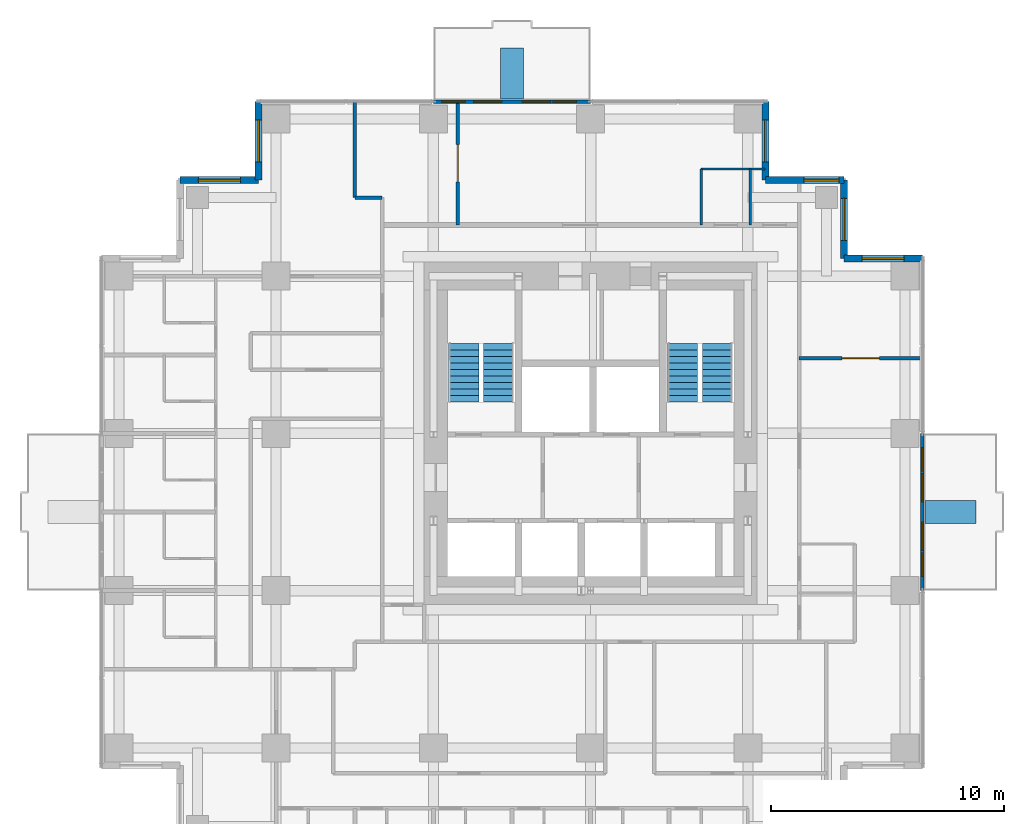
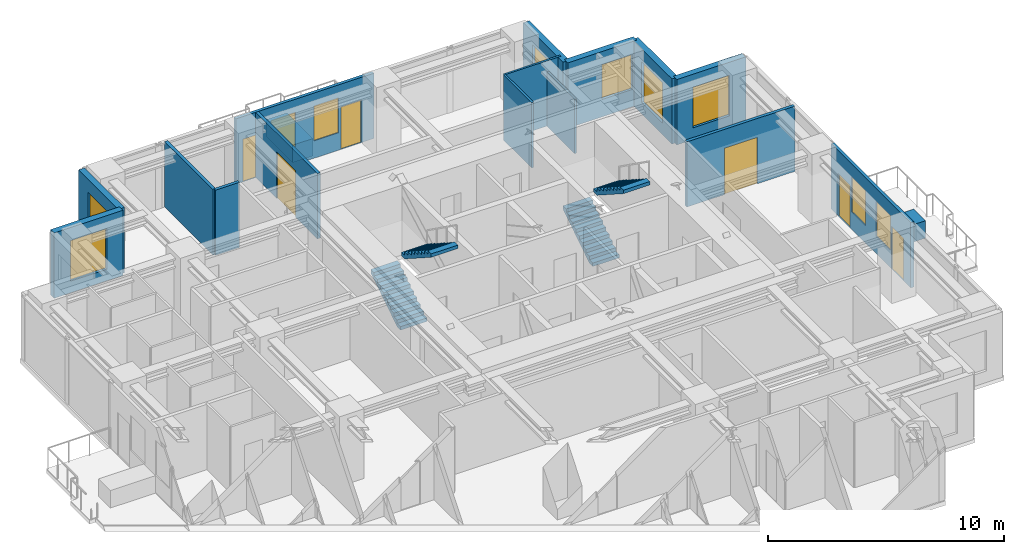
# One storey, part 7 of 8: 17 walls, 10 windows, 6 doors, 4 stair flights, 16 openings, 2 elements without a shape of their own.
"""IFC4 building model written with IfcOpenShell, lengths in metres."""

from ifc_helpers import new_model, si_unit, direction, frame, frame_2d, origin, place, context, subcontext, project, spatial, polyline, rectangle, outline, extrude, material, layer, layer_set, type_object, element, fill, aggregate, save


model = new_model("IFC4")

# Units and contexts
model_context = context("Model", 3, precision=1e-05, world=origin(), true_north=direction((0.0, 1.0)))
body_context = subcontext(model_context, "Body", "Model", "MODEL_VIEW")
ifc_project = project(units=[si_unit("LENGTHUNIT", "METRE"), si_unit("AREAUNIT", "SQUARE_METRE"), si_unit("VOLUMEUNIT", "CUBIC_METRE"), si_unit("PLANEANGLEUNIT", "RADIAN"), si_unit("MASSUNIT", "GRAM", prefix="KILO")], contexts=[model_context])

# Site, building, storey
site_placement = place(None, origin())
site = spatial("IfcSite", under=ifc_project, at=site_placement, CompositionType="ELEMENT")
building_placement = place(site_placement, origin())
building = spatial("IfcBuilding", under=site, at=building_placement, Name="Nyansa Garden Tower", CompositionType="ELEMENT")
storey_placement = place(building_placement, frame((0.0, 0.0, 171.0)))
storey = spatial("IfcBuildingStorey", under=building, at=storey_placement, Name="L46", CompositionType="ELEMENT", Elevation=171.0)

# Wall, openings, doors, windows
ifc_material_1 = material(Name="Black aluminium framed glazed screen", Category="aluminium")
ifc_layer_1 = layer(ifc_material_1, 0.14990234375)
ifc_layer_set_1 = layer_set([ifc_layer_1], Name="Balcony screen wall BW150")
wall_type_1 = type_object("IfcWallType", Name="Balcony screen wall BW150", PredefinedType="SOLIDWALL", material=ifc_layer_set_1)
wall_1_placement = place(storey_placement, frame((34.5, 20.25, 0.0), z_axis=(0.0, 0.0, 1.0), x_axis=(0.0, -1.0, 0.0)))
wall_1 = element("IfcWall", 1, at=wall_1_placement, inside=storey, type_object=wall_type_1, Name="Glazed screen wall L46 E", PredefinedType="SOLIDWALL", context=body_context, shape_type="SweptSolid", body=[
    extrude(rectangle(XDim=6.75, YDim=0.14990234375, at=frame_2d((3.375, 0.0))), origin(), (0.0, 0.0, 1.0), 3.375),
])
opening_1_placement = place(wall_1_placement, frame((0.612548828125, 0.0, 0.0)))
opening_1 = element("IfcOpeningElement", 2, at=opening_1_placement, cuts=wall_1, Name="Opening D20", PredefinedType="OPENING", context=body_context, shape_type="SweptSolid", body=[
    extrude(rectangle(XDim=1.0, YDim=2.199951171875, at=frame_2d((0.5, 1.10009765625))), frame((0.0, 0.0849609375, 0.0), z_axis=(0.0, -1.0, 0.0), x_axis=(1.0, 0.0, 0.0)), (0.0, 0.0, 1.0), 0.169921875),
])
opening_2_placement = place(wall_1_placement, frame((1.72509765625, 0.0, 0.89990234375)))
opening_2 = element("IfcOpeningElement", 3, at=opening_2_placement, cuts=wall_1, Name="Opening W6", PredefinedType="OPENING", context=body_context, shape_type="SweptSolid", body=[
    extrude(rectangle(XDim=1.199951171875, YDim=1.800048828125, at=frame_2d((0.60009765625, 0.89990234375))), frame((0.0, 0.0849609375, 0.0), z_axis=(0.0, -1.0, 0.0), x_axis=(1.0, 0.0, 0.0)), (0.0, 0.0, 1.0), 0.169921875),
])
opening_3_placement = place(wall_1_placement, frame((5.137451171875, 0.0, 0.0)))
opening_3 = element("IfcOpeningElement", 4, at=opening_3_placement, cuts=wall_1, Name="Opening D20", PredefinedType="OPENING", context=body_context, shape_type="SweptSolid", body=[
    extrude(rectangle(XDim=1.0, YDim=2.199951171875, at=frame_2d((0.5, 1.10009765625))), frame((0.0, 0.0849609375, 0.0), z_axis=(0.0, -1.0, 0.0), x_axis=(1.0, 0.0, 0.0)), (0.0, 0.0, 1.0), 0.169921875),
])
opening_4_placement = place(wall_1_placement, frame((3.824951171875, 0.0, 0.89990234375)))
opening_4 = element("IfcOpeningElement", 5, at=opening_4_placement, cuts=wall_1, Name="Opening W6", PredefinedType="OPENING", context=body_context, shape_type="SweptSolid", body=[
    extrude(rectangle(XDim=1.199951171875, YDim=1.800048828125, at=frame_2d((0.60009765625, 0.89990234375))), frame((0.0, 0.0849609375, 0.0), z_axis=(0.0, -1.0, 0.0), x_axis=(1.0, 0.0, 0.0)), (0.0, 0.0, 1.0), 0.169921875),
])
ifc_material_2 = material(Name="Black aluminium framed glazed door", Category="aluminium")
door_type_1 = type_object("IfcDoorType", Name="Balcony door D20 1000x2200", OperationType="NOTDEFINED", PredefinedType="DOOR", material=ifc_material_2)
door_1_placement = place(opening_1_placement, origin())
door_1 = element("IfcDoor", 6, at=door_1_placement, inside=storey, type_object=door_type_1, Name="Balcony door L46", OperationType="SINGLE_SWING_LEFT", OverallHeight=2.199951171875, OverallWidth=1.0, PredefinedType="DOOR", context=body_context, shape_type="SweptSolid", body=[
    extrude(rectangle(XDim=1.0, YDim=2.199951171875, at=frame_2d((0.5, 1.10009765625))), frame((0.0, 0.02490234375, 0.0), z_axis=(0.0, -1.0, 0.0), x_axis=(1.0, 0.0, 0.0)), (0.0, 0.0, 1.0), 0.050048828125),
])
fill(opening_1, door_1)
door_2_placement = place(opening_3_placement, origin())
door_2 = element("IfcDoor", 7, at=door_2_placement, inside=storey, type_object=door_type_1, Name="Balcony door L46", OperationType="SINGLE_SWING_RIGHT", OverallHeight=2.199951171875, OverallWidth=1.0, PredefinedType="DOOR", context=body_context, shape_type="SweptSolid", body=[
    extrude(rectangle(XDim=1.0, YDim=2.199951171875, at=frame_2d((0.5, 1.10009765625))), frame((0.0, 0.02490234375, 0.0), z_axis=(0.0, -1.0, 0.0), x_axis=(1.0, 0.0, 0.0)), (0.0, 0.0, 1.0), 0.050048828125),
])
fill(opening_3, door_2)
ifc_material_3 = material(Name="Black aluminium frame, dark tinted double glazing", Category="aluminium")
window_type_1 = type_object("IfcWindowType", Name="Balcony window W6 1200x1800", PartitioningType="SINGLE_PANEL", PredefinedType="WINDOW", material=ifc_material_3)
window_1_placement = place(opening_2_placement, origin())
window_1 = element("IfcWindow", 8, at=window_1_placement, inside=storey, type_object=window_type_1, Name="Window L46", OverallHeight=1.800048828125, OverallWidth=1.199951171875, PartitioningType="SINGLE_PANEL", PredefinedType="WINDOW", context=body_context, shape_type="SweptSolid", body=[
    extrude(rectangle(XDim=1.199951171875, YDim=1.800048828125, at=frame_2d((0.60009765625, 0.89990234375))), frame((0.0, 0.030029296875, 0.0), z_axis=(0.0, -1.0, 0.0), x_axis=(1.0, 0.0, 0.0)), (0.0, 0.0, 1.0), 0.06005859375),
])
fill(opening_2, window_1)
window_2_placement = place(opening_4_placement, origin())
window_2 = element("IfcWindow", 9, at=window_2_placement, inside=storey, type_object=window_type_1, Name="Window L46", OverallHeight=1.800048828125, OverallWidth=1.199951171875, PartitioningType="SINGLE_PANEL", PredefinedType="WINDOW", context=body_context, shape_type="SweptSolid", body=[
    extrude(rectangle(XDim=1.199951171875, YDim=1.800048828125, at=frame_2d((0.60009765625, 0.89990234375))), frame((0.0, 0.030029296875, 0.0), z_axis=(0.0, -1.0, 0.0), x_axis=(1.0, 0.0, 0.0)), (0.0, 0.0, 1.0), 0.06005859375),
])
fill(opening_4, window_2)

wall_2_placement = place(storey_placement, frame((13.5, 34.5, 0.0), z_axis=(0.0, 0.0, 1.0), x_axis=(1.0, 0.0, 0.0)))
wall_2 = element("IfcWall", 10, at=wall_2_placement, inside=storey, type_object=wall_type_1, Name="Glazed screen wall L46 N", PredefinedType="SOLIDWALL", context=body_context, shape_type="SweptSolid", body=[
    extrude(rectangle(XDim=6.75, YDim=0.14990234375, at=frame_2d((3.375, 0.0))), origin(), (0.0, 0.0, 1.0), 3.375),
])
opening_5_placement = place(wall_2_placement, frame((0.362548828125, 0.0, 0.0)))
opening_5 = element("IfcOpeningElement", 11, at=opening_5_placement, cuts=wall_2, Name="Opening D20", PredefinedType="OPENING", context=body_context, shape_type="SweptSolid", body=[
    extrude(rectangle(XDim=1.0, YDim=2.199951171875, at=frame_2d((0.5, 1.10009765625))), frame((0.0, 0.0849609375, 0.0), z_axis=(0.0, -1.0, 0.0), x_axis=(1.0, 0.0, 0.0)), (0.0, 0.0, 1.0), 0.169921875),
])
opening_6_placement = place(wall_2_placement, frame((1.72509765625, 0.0, 0.89990234375)))
opening_6 = element("IfcOpeningElement", 12, at=opening_6_placement, cuts=wall_2, Name="Opening W6", PredefinedType="OPENING", context=body_context, shape_type="SweptSolid", body=[
    extrude(rectangle(XDim=1.199951171875, YDim=1.800048828125, at=frame_2d((0.60009765625, 0.89990234375))), frame((0.0, 0.0849609375, 0.0), z_axis=(0.0, -1.0, 0.0), x_axis=(1.0, 0.0, 0.0)), (0.0, 0.0, 1.0), 0.169921875),
])
opening_7_placement = place(wall_2_placement, frame((5.137451171875, 0.0, 0.0)))
opening_7 = element("IfcOpeningElement", 13, at=opening_7_placement, cuts=wall_2, Name="Opening D20", PredefinedType="OPENING", context=body_context, shape_type="SweptSolid", body=[
    extrude(rectangle(XDim=1.0, YDim=2.199951171875, at=frame_2d((0.5, 1.10009765625))), frame((0.0, 0.0849609375, 0.0), z_axis=(0.0, -1.0, 0.0), x_axis=(1.0, 0.0, 0.0)), (0.0, 0.0, 1.0), 0.169921875),
])
opening_8_placement = place(wall_2_placement, frame((3.824951171875, 0.0, 0.89990234375)))
opening_8 = element("IfcOpeningElement", 14, at=opening_8_placement, cuts=wall_2, Name="Opening W6", PredefinedType="OPENING", context=body_context, shape_type="SweptSolid", body=[
    extrude(rectangle(XDim=1.199951171875, YDim=1.800048828125, at=frame_2d((0.60009765625, 0.89990234375))), frame((0.0, 0.0849609375, 0.0), z_axis=(0.0, -1.0, 0.0), x_axis=(1.0, 0.0, 0.0)), (0.0, 0.0, 1.0), 0.169921875),
])
door_3_placement = place(opening_5_placement, origin())
door_3 = element("IfcDoor", 15, at=door_3_placement, inside=storey, type_object=door_type_1, Name="Balcony door L46", OperationType="SINGLE_SWING_LEFT", OverallHeight=2.199951171875, OverallWidth=1.0, PredefinedType="DOOR", context=body_context, shape_type="SweptSolid", body=[
    extrude(rectangle(XDim=1.0, YDim=2.199951171875, at=frame_2d((0.5, 1.10009765625))), frame((0.0, 0.02490234375, 0.0), z_axis=(0.0, -1.0, 0.0), x_axis=(1.0, 0.0, 0.0)), (0.0, 0.0, 1.0), 0.050048828125),
])
fill(opening_5, door_3)
door_4_placement = place(opening_7_placement, origin())
door_4 = element("IfcDoor", 16, at=door_4_placement, inside=storey, type_object=door_type_1, Name="Balcony door L46", OperationType="SINGLE_SWING_RIGHT", OverallHeight=2.199951171875, OverallWidth=1.0, PredefinedType="DOOR", context=body_context, shape_type="SweptSolid", body=[
    extrude(rectangle(XDim=1.0, YDim=2.199951171875, at=frame_2d((0.5, 1.10009765625))), frame((0.0, 0.02490234375, 0.0), z_axis=(0.0, -1.0, 0.0), x_axis=(1.0, 0.0, 0.0)), (0.0, 0.0, 1.0), 0.050048828125),
])
fill(opening_7, door_4)
window_3_placement = place(opening_6_placement, origin())
window_3 = element("IfcWindow", 17, at=window_3_placement, inside=storey, type_object=window_type_1, Name="Window L46", OverallHeight=1.800048828125, OverallWidth=1.199951171875, PartitioningType="SINGLE_PANEL", PredefinedType="WINDOW", context=body_context, shape_type="SweptSolid", body=[
    extrude(rectangle(XDim=1.199951171875, YDim=1.800048828125, at=frame_2d((0.60009765625, 0.89990234375))), frame((0.0, 0.030029296875, 0.0), z_axis=(0.0, -1.0, 0.0), x_axis=(1.0, 0.0, 0.0)), (0.0, 0.0, 1.0), 0.06005859375),
])
fill(opening_6, window_3)
window_4_placement = place(opening_8_placement, origin())
window_4 = element("IfcWindow", 18, at=window_4_placement, inside=storey, type_object=window_type_1, Name="Window L46", OverallHeight=1.800048828125, OverallWidth=1.199951171875, PartitioningType="SINGLE_PANEL", PredefinedType="WINDOW", context=body_context, shape_type="SweptSolid", body=[
    extrude(rectangle(XDim=1.199951171875, YDim=1.800048828125, at=frame_2d((0.60009765625, 0.89990234375))), frame((0.0, 0.030029296875, 0.0), z_axis=(0.0, -1.0, 0.0), x_axis=(1.0, 0.0, 0.0)), (0.0, 0.0, 1.0), 0.06005859375),
])
fill(opening_8, window_4)

# Walls
ifc_material_4 = material(Name="Blockwork, plastered both sides", Category="masonry")
ifc_layer_2 = layer(ifc_material_4, 0.14990234375)
ifc_layer_set_2 = layer_set([ifc_layer_2], Name="Partition PW150")
wall_type_2 = type_object("IfcWallType", Name="Partition PW150", PredefinedType="PARTITIONING", material=ifc_layer_set_2)
wall_3_placement = place(storey_placement, frame((10.125, 30.375, 0.0), z_axis=(0.0, 0.0, 1.0), x_axis=(0.0, 1.0, 0.0)))
element("IfcWall", 19, at=wall_3_placement, inside=storey, type_object=wall_type_2, Name="Partition", PredefinedType="PARTITIONING", context=body_context, shape_type="SweptSolid", body=[
    extrude(rectangle(XDim=4.10888671875, YDim=0.14990234375, at=frame_2d((2.054443359375, 0.0))), origin(), (0.0, 0.0, 1.0), 3.375),
])
wall_4_placement = place(storey_placement, frame((10.125, 30.375, 0.0), z_axis=(0.0, 0.0, 1.0), x_axis=(1.0, 0.0, 0.0)))
element("IfcWall", 20, at=wall_4_placement, inside=storey, type_object=wall_type_2, Name="Partition", PredefinedType="PARTITIONING", context=body_context, shape_type="SweptSolid", body=[
    extrude(rectangle(XDim=1.175048828125, YDim=0.14990234375, at=frame_2d((0.58740234375, 0.0))), origin(), (0.0, 0.0, 1.0), 3.375),
])

# Wall, opening, door
wall_5_placement = place(storey_placement, frame((14.549072265625, 29.199951171875, 0.0), z_axis=(0.0, 0.0, 1.0), x_axis=(0.0, 1.0, 0.0)))
wall_5 = element("IfcWall", 21, at=wall_5_placement, inside=storey, type_object=wall_type_2, Name="Partition", PredefinedType="PARTITIONING", context=body_context, shape_type="SweptSolid", body=[
    extrude(rectangle(XDim=5.22509765625, YDim=0.14990234375, at=frame_2d((2.612548828125, 0.0))), origin(), (0.0, 0.0, 1.0), 3.375),
])
opening_9_placement = place(wall_5_placement, frame((1.85009765625, 0.0, 0.0)))
opening_9 = element("IfcOpeningElement", 22, at=opening_9_placement, cuts=wall_5, Name="Opening D12", PredefinedType="OPENING", context=body_context, shape_type="SweptSolid", body=[
    extrude(rectangle(XDim=1.60009765625, YDim=2.39990234375, at=frame_2d((0.800048828125, 1.199951171875))), frame((0.0, 0.0849609375, 0.0), z_axis=(0.0, -1.0, 0.0), x_axis=(1.0, 0.0, 0.0)), (0.0, 0.0, 1.0), 0.169921875),
])
ifc_material_5 = material(Name="Black aluminium glazed door, 60 minute fire resisting", Category="aluminium")
door_type_2 = type_object("IfcDoorType", Name="Amenity door D12 1600x2400", OperationType="DOUBLE_DOOR_SINGLE_SWING", PredefinedType="DOOR", material=ifc_material_5)
door_5_placement = place(opening_9_placement, origin())
door_5 = element("IfcDoor", 23, at=door_5_placement, inside=storey, type_object=door_type_2, Name="Door L46-039", OperationType="DOUBLE_DOOR_SINGLE_SWING", OverallHeight=2.39990234375, OverallWidth=1.60009765625, PredefinedType="DOOR", context=body_context, shape_type="SweptSolid", body=[
    extrude(rectangle(XDim=1.60009765625, YDim=2.39990234375, at=frame_2d((0.800048828125, 1.199951171875))), frame((0.0, 0.02490234375, 0.0), z_axis=(0.0, -1.0, 0.0), x_axis=(1.0, 0.0, 0.0)), (0.0, 0.0, 1.0), 0.050048828125),
])
fill(opening_9, door_5)

wall_6_placement = place(storey_placement, frame((29.199951171875, 23.48193359375, 0.0), z_axis=(0.0, 0.0, 1.0), x_axis=(1.0, 0.0, 0.0)))
wall_6 = element("IfcWall", 24, at=wall_6_placement, inside=storey, type_object=wall_type_2, Name="Partition", PredefinedType="PARTITIONING", context=body_context, shape_type="SweptSolid", body=[
    extrude(rectangle(XDim=5.283935546875, YDim=0.14990234375, at=frame_2d((2.64208984375, 0.0))), origin(), (0.0, 0.0, 1.0), 3.375),
])
opening_10_placement = place(wall_6_placement, frame((1.85009765625, 0.0, 0.0)))
opening_10 = element("IfcOpeningElement", 25, at=opening_10_placement, cuts=wall_6, Name="Opening D12", PredefinedType="OPENING", context=body_context, shape_type="SweptSolid", body=[
    extrude(rectangle(XDim=1.60009765625, YDim=2.39990234375, at=frame_2d((0.800048828125, 1.199951171875))), frame((0.0, 0.0849609375, 0.0), z_axis=(0.0, -1.0, 0.0), x_axis=(1.0, 0.0, 0.0)), (0.0, 0.0, 1.0), 0.169921875),
])
door_6_placement = place(opening_10_placement, origin())
door_6 = element("IfcDoor", 26, at=door_6_placement, inside=storey, type_object=door_type_2, Name="Door L46-035", OperationType="DOUBLE_DOOR_SINGLE_SWING", OverallHeight=2.39990234375, OverallWidth=1.60009765625, PredefinedType="DOOR", context=body_context, shape_type="SweptSolid", body=[
    extrude(rectangle(XDim=1.60009765625, YDim=2.39990234375, at=frame_2d((0.800048828125, 1.199951171875))), frame((0.0, 0.02490234375, 0.0), z_axis=(0.0, -1.0, 0.0), x_axis=(1.0, 0.0, 0.0)), (0.0, 0.0, 1.0), 0.050048828125),
])
fill(opening_10, door_6)

# Wall, opening, window
ifc_material_6 = material(Name="Turquoise glazed tile on concrete blockwork", Category="masonry")
ifc_layer_3 = layer(ifc_material_6, 0.300048828125)
ifc_layer_set_3 = layer_set([ifc_layer_3], Name="Tiled corner wall TW300")
wall_type_3 = type_object("IfcWallType", Name="Tiled corner wall TW300", PredefinedType="SOLIDWALL", material=ifc_layer_set_3)
wall_7_placement = place(storey_placement, frame((34.5, 27.75, 0.0), z_axis=(0.0, 0.0, 1.0), x_axis=(-1.0, 0.0, 0.0)))
wall_7 = element("IfcWall", 27, at=wall_7_placement, inside=storey, type_object=wall_type_3, Name="Tiled corner wall L46", PredefinedType="SOLIDWALL", context=body_context, shape_type="SweptSolid", body=[
    extrude(rectangle(XDim=3.375, YDim=0.300048828125, at=frame_2d((1.6875, 0.0))), origin(), (0.0, 0.0, 1.0), 3.375),
])
opening_11_placement = place(wall_7_placement, frame((0.78759765625, 0.0, 0.60009765625)))
opening_11 = element("IfcOpeningElement", 28, at=opening_11_placement, cuts=wall_7, Name="Opening W2", PredefinedType="OPENING", context=body_context, shape_type="SweptSolid", body=[
    extrude(rectangle(XDim=1.800048828125, YDim=2.10009765625, at=frame_2d((0.89990234375, 1.050048828125))), frame((0.0, 0.159912109375, 0.0), z_axis=(0.0, -1.0, 0.0), x_axis=(1.0, 0.0, 0.0)), (0.0, 0.0, 1.0), 0.320068359375),
])
ifc_material_7 = material(Name="Black aluminium frame, dark tinted double glazing", Category="aluminium")
window_type_2 = type_object("IfcWindowType", Name="Window W2 1800x2100", PartitioningType="SINGLE_PANEL", PredefinedType="WINDOW", material=ifc_material_7)
window_5_placement = place(opening_11_placement, origin())
window_5 = element("IfcWindow", 29, at=window_5_placement, inside=storey, type_object=window_type_2, Name="Corner window L46", OverallHeight=2.10009765625, OverallWidth=1.800048828125, PartitioningType="SINGLE_PANEL", PredefinedType="WINDOW", context=body_context, shape_type="SweptSolid", body=[
    extrude(rectangle(XDim=1.800048828125, YDim=2.10009765625, at=frame_2d((0.89990234375, 1.050048828125))), frame((0.0, 0.030029296875, 0.0), z_axis=(0.0, -1.0, 0.0), x_axis=(1.0, 0.0, 0.0)), (0.0, 0.0, 1.0), 0.06005859375),
])
fill(opening_11, window_5)

wall_8_placement = place(storey_placement, frame((31.125, 27.75, 0.0), z_axis=(0.0, 0.0, 1.0), x_axis=(0.0, 1.0, 0.0)))
wall_8 = element("IfcWall", 30, at=wall_8_placement, inside=storey, type_object=wall_type_3, Name="Tiled corner wall L46", PredefinedType="SOLIDWALL", context=body_context, shape_type="SweptSolid", body=[
    extrude(rectangle(XDim=3.375, YDim=0.300048828125, at=frame_2d((1.6875, 0.0))), origin(), (0.0, 0.0, 1.0), 3.375),
])
opening_12_placement = place(wall_8_placement, frame((0.78759765625, 0.0, 0.60009765625)))
opening_12 = element("IfcOpeningElement", 31, at=opening_12_placement, cuts=wall_8, Name="Opening W2", PredefinedType="OPENING", context=body_context, shape_type="SweptSolid", body=[
    extrude(rectangle(XDim=1.800048828125, YDim=2.10009765625, at=frame_2d((0.89990234375, 1.050048828125))), frame((0.0, 0.159912109375, 0.0), z_axis=(0.0, -1.0, 0.0), x_axis=(1.0, 0.0, 0.0)), (0.0, 0.0, 1.0), 0.320068359375),
])
window_6_placement = place(opening_12_placement, origin())
window_6 = element("IfcWindow", 32, at=window_6_placement, inside=storey, type_object=window_type_2, Name="Corner window L46", OverallHeight=2.10009765625, OverallWidth=1.800048828125, PartitioningType="SINGLE_PANEL", PredefinedType="WINDOW", context=body_context, shape_type="SweptSolid", body=[
    extrude(rectangle(XDim=1.800048828125, YDim=2.10009765625, at=frame_2d((0.89990234375, 1.050048828125))), frame((0.0, 0.030029296875, 0.0), z_axis=(0.0, -1.0, 0.0), x_axis=(1.0, 0.0, 0.0)), (0.0, 0.0, 1.0), 0.06005859375),
])
fill(opening_12, window_6)

wall_9_placement = place(storey_placement, frame((31.125, 31.125, 0.0), z_axis=(0.0, 0.0, 1.0), x_axis=(-1.0, 0.0, 0.0)))
wall_9 = element("IfcWall", 33, at=wall_9_placement, inside=storey, type_object=wall_type_3, Name="Tiled corner wall L46", PredefinedType="SOLIDWALL", context=body_context, shape_type="SweptSolid", body=[
    extrude(rectangle(XDim=3.375, YDim=0.300048828125, at=frame_2d((1.6875, 0.0))), origin(), (0.0, 0.0, 1.0), 3.375),
])
opening_13_placement = place(wall_9_placement, frame((0.21240234375, 0.0, 0.89990234375)))
opening_13 = element("IfcOpeningElement", 34, at=opening_13_placement, cuts=wall_9, Name="Opening W1", PredefinedType="OPENING", context=body_context, shape_type="SweptSolid", body=[
    extrude(rectangle(XDim=1.5, YDim=1.800048828125, at=frame_2d((0.75, 0.89990234375))), frame((0.0, 0.159912109375, 0.0), z_axis=(0.0, -1.0, 0.0), x_axis=(1.0, 0.0, 0.0)), (0.0, 0.0, 1.0), 0.320068359375),
])
ifc_material_8 = material(Name="Black aluminium frame, dark tinted double glazing", Category="aluminium")
window_type_3 = type_object("IfcWindowType", Name="Window W1 1500x1800", PartitioningType="SINGLE_PANEL", PredefinedType="WINDOW", material=ifc_material_8)
window_7_placement = place(opening_13_placement, origin())
window_7 = element("IfcWindow", 35, at=window_7_placement, inside=storey, type_object=window_type_3, Name="Corner window L46", OverallHeight=1.800048828125, OverallWidth=1.5, PartitioningType="SINGLE_PANEL", PredefinedType="WINDOW", context=body_context, shape_type="SweptSolid", body=[
    extrude(rectangle(XDim=1.5, YDim=1.800048828125, at=frame_2d((0.75, 0.89990234375))), frame((0.0, 0.030029296875, 0.0), z_axis=(0.0, -1.0, 0.0), x_axis=(1.0, 0.0, 0.0)), (0.0, 0.0, 1.0), 0.06005859375),
])
fill(opening_13, window_7)

wall_10_placement = place(storey_placement, frame((27.75, 31.125, 0.0), z_axis=(0.0, 0.0, 1.0), x_axis=(0.0, 1.0, 0.0)))
wall_10 = element("IfcWall", 36, at=wall_10_placement, inside=storey, type_object=wall_type_3, Name="Tiled corner wall L46", PredefinedType="SOLIDWALL", context=body_context, shape_type="SweptSolid", body=[
    extrude(rectangle(XDim=3.375, YDim=0.300048828125, at=frame_2d((1.6875, 0.0))), origin(), (0.0, 0.0, 1.0), 3.375),
])
opening_14_placement = place(wall_10_placement, frame((0.78759765625, 0.0, 0.60009765625)))
opening_14 = element("IfcOpeningElement", 37, at=opening_14_placement, cuts=wall_10, Name="Opening W2", PredefinedType="OPENING", context=body_context, shape_type="SweptSolid", body=[
    extrude(rectangle(XDim=1.800048828125, YDim=2.10009765625, at=frame_2d((0.89990234375, 1.050048828125))), frame((0.0, 0.159912109375, 0.0), z_axis=(0.0, -1.0, 0.0), x_axis=(1.0, 0.0, 0.0)), (0.0, 0.0, 1.0), 0.320068359375),
])
window_8_placement = place(opening_14_placement, origin())
window_8 = element("IfcWindow", 38, at=window_8_placement, inside=storey, type_object=window_type_2, Name="Corner window L46", OverallHeight=2.10009765625, OverallWidth=1.800048828125, PartitioningType="SINGLE_PANEL", PredefinedType="WINDOW", context=body_context, shape_type="SweptSolid", body=[
    extrude(rectangle(XDim=1.800048828125, YDim=2.10009765625, at=frame_2d((0.89990234375, 1.050048828125))), frame((0.0, 0.030029296875, 0.0), z_axis=(0.0, -1.0, 0.0), x_axis=(1.0, 0.0, 0.0)), (0.0, 0.0, 1.0), 0.06005859375),
])
fill(opening_14, window_8)

wall_11_placement = place(storey_placement, frame((6.0, 34.5, 0.0), z_axis=(0.0, 0.0, 1.0), x_axis=(0.0, -1.0, 0.0)))
wall_11 = element("IfcWall", 39, at=wall_11_placement, inside=storey, type_object=wall_type_3, Name="Tiled corner wall L46", PredefinedType="SOLIDWALL", context=body_context, shape_type="SweptSolid", body=[
    extrude(rectangle(XDim=3.375, YDim=0.300048828125, at=frame_2d((1.6875, 0.0))), origin(), (0.0, 0.0, 1.0), 3.375),
])
opening_15_placement = place(wall_11_placement, frame((0.78759765625, 0.0, 0.60009765625)))
opening_15 = element("IfcOpeningElement", 40, at=opening_15_placement, cuts=wall_11, Name="Opening W2", PredefinedType="OPENING", context=body_context, shape_type="SweptSolid", body=[
    extrude(rectangle(XDim=1.800048828125, YDim=2.10009765625, at=frame_2d((0.89990234375, 1.050048828125))), frame((0.0, 0.159912109375, 0.0), z_axis=(0.0, -1.0, 0.0), x_axis=(1.0, 0.0, 0.0)), (0.0, 0.0, 1.0), 0.320068359375),
])
window_9_placement = place(opening_15_placement, origin())
window_9 = element("IfcWindow", 41, at=window_9_placement, inside=storey, type_object=window_type_2, Name="Corner window L46", OverallHeight=2.10009765625, OverallWidth=1.800048828125, PartitioningType="SINGLE_PANEL", PredefinedType="WINDOW", context=body_context, shape_type="SweptSolid", body=[
    extrude(rectangle(XDim=1.800048828125, YDim=2.10009765625, at=frame_2d((0.89990234375, 1.050048828125))), frame((0.0, 0.030029296875, 0.0), z_axis=(0.0, -1.0, 0.0), x_axis=(1.0, 0.0, 0.0)), (0.0, 0.0, 1.0), 0.06005859375),
])
fill(opening_15, window_9)

wall_12_placement = place(storey_placement, frame((6.0, 31.125, 0.0), z_axis=(0.0, 0.0, 1.0), x_axis=(-1.0, 0.0, 0.0)))
wall_12 = element("IfcWall", 42, at=wall_12_placement, inside=storey, type_object=wall_type_3, Name="Tiled corner wall L46", PredefinedType="SOLIDWALL", context=body_context, shape_type="SweptSolid", body=[
    extrude(rectangle(XDim=3.375, YDim=0.300048828125, at=frame_2d((1.6875, 0.0))), origin(), (0.0, 0.0, 1.0), 3.375),
])
opening_16_placement = place(wall_12_placement, frame((0.78759765625, 0.0, 0.60009765625)))
opening_16 = element("IfcOpeningElement", 43, at=opening_16_placement, cuts=wall_12, Name="Opening W2", PredefinedType="OPENING", context=body_context, shape_type="SweptSolid", body=[
    extrude(rectangle(XDim=1.800048828125, YDim=2.10009765625, at=frame_2d((0.89990234375, 1.050048828125))), frame((0.0, 0.159912109375, 0.0), z_axis=(0.0, -1.0, 0.0), x_axis=(1.0, 0.0, 0.0)), (0.0, 0.0, 1.0), 0.320068359375),
])
window_10_placement = place(opening_16_placement, origin())
window_10 = element("IfcWindow", 44, at=window_10_placement, inside=storey, type_object=window_type_2, Name="Corner window L46", OverallHeight=2.10009765625, OverallWidth=1.800048828125, PartitioningType="SINGLE_PANEL", PredefinedType="WINDOW", context=body_context, shape_type="SweptSolid", body=[
    extrude(rectangle(XDim=1.800048828125, YDim=2.10009765625, at=frame_2d((0.89990234375, 1.050048828125))), frame((0.0, 0.030029296875, 0.0), z_axis=(0.0, -1.0, 0.0), x_axis=(1.0, 0.0, 0.0)), (0.0, 0.0, 1.0), 0.06005859375),
])
fill(opening_16, window_10)

# Walls
ifc_material_9 = material(Name="Concrete C40/50 planter, waterproofed", Category="concrete")
ifc_layer_4 = layer(ifc_material_9, 1.0)
ifc_layer_set_4 = layer_set([ifc_layer_4], Name="Tree planter TP1")
wall_type_4 = type_object("IfcWallType", Name="Tree planter TP1", PredefinedType="USERDEFINED", material=ifc_layer_set_4)
for number, where, z_axis, x_axis, name in (
    (45, (34.60009765625, 16.875, 0.0), (0.0, 0.0, 1.0), (1.0, 0.0, 0.0), "Tree planter L46"),
    (46, (16.875, 34.60009765625, 0.0), (0.0, 0.0, 1.0), (0.0, 1.0, 0.0), "Tree planter L46"),
):
    element("IfcWall", number, at=place(storey_placement, frame(where, z_axis=z_axis, x_axis=x_axis)), inside=storey, type_object=wall_type_4, Name=name, ObjectType="TREE PLANTER", PredefinedType="USERDEFINED", context=body_context, shape_type="SweptSolid", body=[
        extrude(rectangle(XDim=2.199951171875, YDim=1.0, at=frame_2d((1.10009765625, 0.0))), origin(), (0.0, 0.0, 1.0), 0.89990234375),
    ])
ifc_material_10 = material(Name="Moisture resistant board on steel studs, tiled", Category="steel")
ifc_layer_5 = layer(ifc_material_10, 0.10009765625)
ifc_layer_set_5 = layer_set([ifc_layer_5], Name="Wet wall PW100")
wall_type_5 = type_object("IfcWallType", Name="Wet wall PW100", PredefinedType="PARTITIONING", material=ifc_layer_set_5)
wall_13_placement = place(storey_placement, frame((25.0, 29.199951171875, 0.0), z_axis=(0.0, 0.0, 1.0), x_axis=(0.0, 1.0, 0.0)))
element("IfcWall", 47, at=wall_13_placement, inside=storey, type_object=wall_type_5, Name="Wet wall", PredefinedType="PARTITIONING", context=body_context, shape_type="SweptSolid", body=[
    extrude(rectangle(XDim=2.400146484375, YDim=0.10009765625, at=frame_2d((1.2001953125, 0.0))), origin(), (0.0, 0.0, 1.0), 3.375),
])
wall_14_placement = place(storey_placement, frame((25.0, 31.60009765625, 0.0), z_axis=(0.0, 0.0, 1.0), x_axis=(1.0, 0.0, 0.0)))
element("IfcWall", 48, at=wall_14_placement, inside=storey, type_object=wall_type_5, Name="Wet wall", PredefinedType="PARTITIONING", context=body_context, shape_type="SweptSolid", body=[
    extrude(rectangle(XDim=2.73388671875, YDim=0.10009765625, at=frame_2d((1.366943359375, 0.0))), origin(), (0.0, 0.0, 1.0), 3.375),
])
wall_15_placement = place(storey_placement, frame((27.10009765625, 29.199951171875, 0.0), z_axis=(0.0, 0.0, 1.0), x_axis=(0.0, 1.0, 0.0)))
element("IfcWall", 49, at=wall_15_placement, inside=storey, type_object=wall_type_5, Name="Wet wall", PredefinedType="PARTITIONING", context=body_context, shape_type="SweptSolid", body=[
    extrude(rectangle(XDim=2.400146484375, YDim=0.10009765625, at=frame_2d((1.2001953125, 0.0))), origin(), (0.0, 0.0, 1.0), 2.805908203125),
])

# Stair, stair flights
ifc_material_11 = material(Name="Precast concrete C40/50", Category="concrete")
stair_type_1 = type_object("IfcStairType", Name="Stair S1 180x280", PredefinedType="HALF_TURN_STAIR", material=ifc_material_11)
stair_1_placement = place(storey_placement, origin())
stair_1 = element("IfcStair", 50, at=stair_1_placement, inside=storey, type_object=stair_type_1, Name="Stair S1 L46", PredefinedType="HALF_TURN_STAIR")
ifc_material_12 = material(Name="Precast concrete C40/50", Category="concrete")
stair_flight_type_1 = type_object("IfcStairFlightType", Name="Stair flight S1 180x280x10", PredefinedType="STRAIGHT", material=ifc_material_12)
stair_flight_1_placement = place(storey_placement, frame((14.800048828125, 21.60009765625, 0.0), z_axis=(0.0, 0.0, 1.0), x_axis=(0.0, 1.0, 0.0)))
stair_flight_1 = element("IfcStairFlight", 51, at=stair_flight_1_placement, type_object=stair_flight_type_1, Name="S1 flight 1", NumberOfRisers=10, NumberOfTreads=9, PredefinedType="STRAIGHT", RiserHeight=0.18, TreadLength=0.28, context=body_context, shape_type="SweptSolid", body=[
    extrude(outline(polyline([(0.0, 0.0), (0.0, 0.179931640625), (0.280029296875, 0.179931640625), (0.280029296875, 0.360107421875), (0.56005859375, 0.360107421875), (0.56005859375, 0.5400390625), (0.840087890625, 0.5400390625), (0.840087890625, 0.719970703125), (1.1201171875, 0.719970703125), (1.1201171875, 0.89990234375), (1.39990234375, 0.89990234375), (1.39990234375, 1.080078125), (1.679931640625, 1.080078125), (1.679931640625, 1.260009765625), (1.9599609375, 1.260009765625), (1.9599609375, 1.43994140625), (2.239990234375, 1.43994140625), (2.239990234375, 1.6201171875), (2.52001953125, 1.6201171875), (2.52001953125, 1.800048828125), (2.52001953125, 1.44189453125), (0.277099609375, 0.0), (0.0, 0.0)])), frame((0.0, 0.64990234375, 0.0), z_axis=(0.0, -1.0, 0.0), x_axis=(1.0, 0.0, 0.0)), (0.0, 0.0, 1.0), 1.300048828125),
])
stair_flight_2_placement = place(storey_placement, frame((16.300048828125, 24.1201171875, 1.800048828125), z_axis=(0.0, 0.0, 1.0), x_axis=(0.0, -1.0, 0.0)))
stair_flight_2 = element("IfcStairFlight", 52, at=stair_flight_2_placement, type_object=stair_flight_type_1, Name="S1 flight 2", NumberOfRisers=10, NumberOfTreads=9, PredefinedType="STRAIGHT", RiserHeight=0.18, TreadLength=0.28, context=body_context, shape_type="SweptSolid", body=[
    extrude(outline(polyline([(0.0, 0.0), (0.0, 0.179931640625), (0.280029296875, 0.179931640625), (0.280029296875, 0.360107421875), (0.56005859375, 0.360107421875), (0.56005859375, 0.5400390625), (0.840087890625, 0.5400390625), (0.840087890625, 0.719970703125), (1.1201171875, 0.719970703125), (1.1201171875, 0.89990234375), (1.39990234375, 0.89990234375), (1.39990234375, 1.080078125), (1.679931640625, 1.080078125), (1.679931640625, 1.260009765625), (1.9599609375, 1.260009765625), (1.9599609375, 1.43994140625), (2.239990234375, 1.43994140625), (2.239990234375, 1.6201171875), (2.52001953125, 1.6201171875), (2.52001953125, 1.800048828125), (2.52001953125, 1.44189453125), (0.277099609375, 0.0), (0.0, 0.0)])), frame((0.0, 0.64990234375, 0.0), z_axis=(0.0, -1.0, 0.0), x_axis=(1.0, 0.0, 0.0)), (0.0, 0.0, 1.0), 1.300048828125),
])
aggregate(stair_1, [stair_flight_1, stair_flight_2])

ifc_material_13 = material(Name="Precast concrete C40/50", Category="concrete")
stair_type_2 = type_object("IfcStairType", Name="Stair S2 180x280", PredefinedType="HALF_TURN_STAIR", material=ifc_material_13)
stair_2_placement = place(storey_placement, origin())
stair_2 = element("IfcStair", 53, at=stair_2_placement, inside=storey, type_object=stair_type_2, Name="Stair S2 L46", PredefinedType="HALF_TURN_STAIR")
ifc_material_14 = material(Name="Precast concrete C40/50", Category="concrete")
stair_flight_type_2 = type_object("IfcStairFlightType", Name="Stair flight S2 180x280x10", PredefinedType="STRAIGHT", material=ifc_material_14)
stair_flight_3_placement = place(storey_placement, frame((24.199951171875, 21.60009765625, 0.0), z_axis=(0.0, 0.0, 1.0), x_axis=(0.0, 1.0, 0.0)))
stair_flight_3 = element("IfcStairFlight", 54, at=stair_flight_3_placement, type_object=stair_flight_type_2, Name="S2 flight 1", NumberOfRisers=10, NumberOfTreads=9, PredefinedType="STRAIGHT", RiserHeight=0.18, TreadLength=0.28, context=body_context, shape_type="SweptSolid", body=[
    extrude(outline(polyline([(0.0, 0.0), (0.0, 0.179931640625), (0.280029296875, 0.179931640625), (0.280029296875, 0.360107421875), (0.56005859375, 0.360107421875), (0.56005859375, 0.5400390625), (0.840087890625, 0.5400390625), (0.840087890625, 0.719970703125), (1.1201171875, 0.719970703125), (1.1201171875, 0.89990234375), (1.39990234375, 0.89990234375), (1.39990234375, 1.080078125), (1.679931640625, 1.080078125), (1.679931640625, 1.260009765625), (1.9599609375, 1.260009765625), (1.9599609375, 1.43994140625), (2.239990234375, 1.43994140625), (2.239990234375, 1.6201171875), (2.52001953125, 1.6201171875), (2.52001953125, 1.800048828125), (2.52001953125, 1.44189453125), (0.277099609375, 0.0), (0.0, 0.0)])), frame((0.0, 0.64990234375, 0.0), z_axis=(0.0, -1.0, 0.0), x_axis=(1.0, 0.0, 0.0)), (0.0, 0.0, 1.0), 1.300048828125),
])
stair_flight_4_placement = place(storey_placement, frame((25.699951171875, 24.1201171875, 1.800048828125), z_axis=(0.0, 0.0, 1.0), x_axis=(0.0, -1.0, 0.0)))
stair_flight_4 = element("IfcStairFlight", 55, at=stair_flight_4_placement, type_object=stair_flight_type_2, Name="S2 flight 2", NumberOfRisers=10, NumberOfTreads=9, PredefinedType="STRAIGHT", RiserHeight=0.18, TreadLength=0.28, context=body_context, shape_type="SweptSolid", body=[
    extrude(outline(polyline([(0.0, 0.0), (0.0, 0.179931640625), (0.280029296875, 0.179931640625), (0.280029296875, 0.360107421875), (0.56005859375, 0.360107421875), (0.56005859375, 0.5400390625), (0.840087890625, 0.5400390625), (0.840087890625, 0.719970703125), (1.1201171875, 0.719970703125), (1.1201171875, 0.89990234375), (1.39990234375, 0.89990234375), (1.39990234375, 1.080078125), (1.679931640625, 1.080078125), (1.679931640625, 1.260009765625), (1.9599609375, 1.260009765625), (1.9599609375, 1.43994140625), (2.239990234375, 1.43994140625), (2.239990234375, 1.6201171875), (2.52001953125, 1.6201171875), (2.52001953125, 1.800048828125), (2.52001953125, 1.44189453125), (0.277099609375, 0.0), (0.0, 0.0)])), frame((0.0, 0.64990234375, 0.0), z_axis=(0.0, -1.0, 0.0), x_axis=(1.0, 0.0, 0.0)), (0.0, 0.0, 1.0), 1.300048828125),
])
aggregate(stair_2, [stair_flight_3, stair_flight_4])

save(model, "model.ifc")
